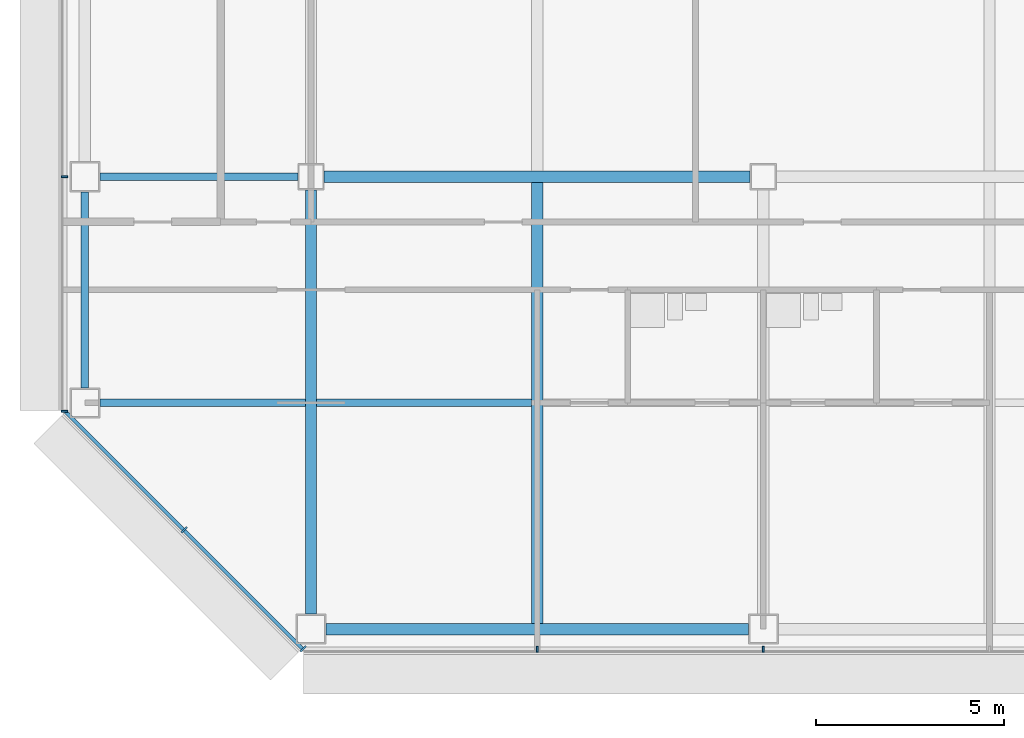
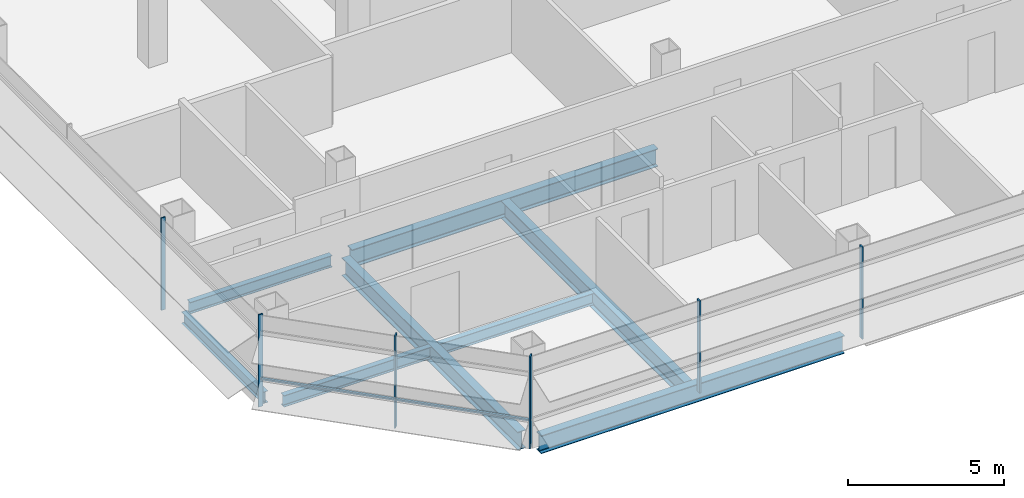
# One storey, part 2 of 26: 8 beams, 7 members, 3 elements without a shape of their own.
"""IFC4 building model written with IfcOpenShell, lengths in metres."""

from ifc_helpers import new_model, si_unit, direction, frame, origin, origin_2d, place, context, subcontext, project, spatial, rectangle, i_section, extrude, material, material_profile, profile_set, type_object, element, aggregate, save


model = new_model("IFC4")

# Units and contexts
model_context = context("Model", 3, precision=1e-05, world=origin(), true_north=direction((0.0, 1.0)))
body_context = subcontext(model_context, "Body", "Model", "MODEL_VIEW")
ifc_project = project(units=[si_unit("LENGTHUNIT", "METRE"), si_unit("AREAUNIT", "SQUARE_METRE"), si_unit("VOLUMEUNIT", "CUBIC_METRE"), si_unit("PLANEANGLEUNIT", "RADIAN"), si_unit("MASSUNIT", "GRAM", prefix="KILO")], contexts=[model_context])

# Site, building, storey
site_placement = place(None, origin())
site = spatial("IfcSite", under=ifc_project, at=site_placement, CompositionType="ELEMENT")
building_placement = place(site_placement, origin())
building = spatial("IfcBuilding", under=site, at=building_placement, Name="Sorahane Residences", CompositionType="ELEMENT")
storey_placement = place(building_placement, frame((0.0, 0.0, 103.39990234375)))
storey = spatial("IfcBuildingStorey", under=building, at=storey_placement, Name="L22", CompositionType="ELEMENT", Elevation=103.39990234375)

# Curtain wall, members
ifc_material_1 = material(Name="Dark low-e glass and black anodised aluminium", Category="aluminium")
curtain_wall_type_1 = type_object("IfcCurtainWallType", Name="Curtain wall CW-1 Typical unitised wall", PredefinedType="NOTDEFINED", material=ifc_material_1)
curtain_wall_1_placement = place(storey_placement, origin())
curtain_wall_1 = element("IfcCurtainWall", 1, at=curtain_wall_1_placement, inside=storey, type_object=curtain_wall_type_1, Name="CW-1 curtain wall L22 S1", PredefinedType="NOTDEFINED")
ifc_material_2 = material(Name="Black anodised aluminium", Category="aluminium")
ifc_material_profile_1 = material_profile(ifc_material_2, rectangle(XDim=0.159912109375, YDim=0.050048828125, at=origin_2d()), Name="Curtain wall mullion CW-1 black anodised aluminium 50x160")
ifc_profile_set_1 = profile_set([ifc_material_profile_1], Name="Black anodised aluminium")
member_type_1 = type_object("IfcMemberType", Name="Curtain wall mullion CW-1 black anodised aluminium 50x160", PredefinedType="MULLION", material=ifc_profile_set_1)
member_1_placement = place(storey_placement, frame((6.0, -0.5400390625, -0.179931640625), z_axis=(0.0, 0.0, 1.0), x_axis=(0.0, -1.0, 0.0)))
member_1 = element("IfcMember", 2, at=member_1_placement, type_object=member_type_1, Name="CW-1 mullion L22 S1.2", PredefinedType="MULLION", context=body_context, shape_type="SweptSolid", body=[
    extrude(rectangle(XDim=0.159912109375, YDim=0.050048828125, at=origin_2d()), origin(), (0.0, 0.0, 1.0), 3.60009765625),
])
member_2_placement = place(storey_placement, frame((12.0, -0.5400390625, -0.179931640625), z_axis=(0.0, 0.0, 1.0), x_axis=(0.0, -1.0, 0.0)))
member_2 = element("IfcMember", 3, at=member_2_placement, type_object=member_type_1, Name="CW-1 mullion L22 S1.3", PredefinedType="MULLION", context=body_context, shape_type="SweptSolid", body=[
    extrude(rectangle(XDim=0.159912109375, YDim=0.050048828125, at=origin_2d()), origin(), (0.0, 0.0, 1.0), 3.60009765625),
])
aggregate(curtain_wall_1, [member_1, member_2])

curtain_wall_2_placement = place(storey_placement, origin())
curtain_wall_2 = element("IfcCurtainWall", 4, at=curtain_wall_2_placement, inside=storey, type_object=curtain_wall_type_1, Name="CW-1 curtain wall L22 W2", PredefinedType="NOTDEFINED")
member_3_placement = place(storey_placement, frame((-6.5400390625, 12.0, -0.179931640625), z_axis=(0.0, 0.0, 1.0), x_axis=(-1.0, 0.0, 0.0)))
member_3 = element("IfcMember", 5, at=member_3_placement, type_object=member_type_1, Name="CW-1 mullion L22 W2.6", PredefinedType="MULLION", context=body_context, shape_type="SweptSolid", body=[
    extrude(rectangle(XDim=0.159912109375, YDim=0.050048828125, at=origin_2d()), origin(), (0.0, 0.0, 1.0), 3.60009765625),
])
member_4_placement = place(storey_placement, frame((-6.5400390625, 5.7763671875, -0.179931640625), z_axis=(0.0, 0.0, 1.0), x_axis=(-1.0, 0.0, 0.0)))
member_4 = element("IfcMember", 6, at=member_4_placement, type_object=member_type_1, Name="CW-1 mullion L22 W2.7", PredefinedType="MULLION", context=body_context, shape_type="SweptSolid", body=[
    extrude(rectangle(XDim=0.159912109375, YDim=0.050048828125, at=origin_2d()), origin(), (0.0, 0.0, 1.0), 3.60009765625),
])
aggregate(curtain_wall_2, [member_3, member_4])

ifc_material_3 = material(Name="Dark low-e glass and black anodised aluminium", Category="aluminium")
curtain_wall_type_2 = type_object("IfcCurtainWallType", Name="Curtain wall CW-2 Chamfer unitised wall", PredefinedType="NOTDEFINED", material=ifc_material_3)
curtain_wall_3_placement = place(storey_placement, origin())
curtain_wall_3 = element("IfcCurtainWall", 7, at=curtain_wall_3_placement, inside=storey, type_object=curtain_wall_type_2, Name="CW-2 curtain wall L22 SW1", PredefinedType="NOTDEFINED")
ifc_material_4 = material(Name="Black anodised aluminium", Category="aluminium")
ifc_material_profile_2 = material_profile(ifc_material_4, rectangle(XDim=0.199951171875, YDim=0.050048828125, at=origin_2d()), Name="Curtain wall mullion CW-2 black anodised aluminium 50x200")
ifc_profile_set_2 = profile_set([ifc_material_profile_2], Name="Black anodised aluminium")
member_type_2 = type_object("IfcMemberType", Name="Curtain wall mullion CW-2 black anodised aluminium 50x200", PredefinedType="MULLION", material=ifc_profile_set_2)
member_5_placement = place(storey_placement, frame((-3.36767578125, 2.63232421875, -0.179931640625), z_axis=(0.0, 0.0, 1.0), x_axis=(-0.707106781187, -0.707106781187, 0.0)))
member_5 = element("IfcMember", 8, at=member_5_placement, type_object=member_type_2, Name="CW-2 mullion L22 SW1.2", PredefinedType="MULLION", context=body_context, shape_type="SweptSolid", body=[
    extrude(rectangle(XDim=0.199951171875, YDim=0.050048828125, at=origin_2d()), origin(), (0.0, 0.0, 1.0), 3.60009765625),
])
member_6_placement = place(storey_placement, frame((-0.209716796875, -0.525634765625, -0.179931640625), z_axis=(0.0, 0.0, 1.0), x_axis=(-0.707106781187, -0.707106781187, 0.0)))
member_6 = element("IfcMember", 9, at=member_6_placement, type_object=member_type_2, Name="CW-2 mullion L22 SW1.3", PredefinedType="MULLION", context=body_context, shape_type="SweptSolid", body=[
    extrude(rectangle(XDim=0.199951171875, YDim=0.050048828125, at=origin_2d()), origin(), (0.0, 0.0, 1.0), 3.60009765625),
])
ifc_material_5 = material(Name="Black anodised aluminium", Category="aluminium")
ifc_material_profile_3 = material_profile(ifc_material_5, rectangle(XDim=0.10009765625, YDim=0.06005859375, at=origin_2d()), Name="Curtain wall transom CW-2 black anodised aluminium 60x100")
ifc_profile_set_3 = profile_set([ifc_material_profile_3], Name="Black anodised aluminium")
member_type_3 = type_object("IfcMemberType", Name="Curtain wall transom CW-2 black anodised aluminium 60x100", PredefinedType="USERDEFINED", material=ifc_profile_set_3)
member_7_placement = place(storey_placement, frame((-6.51513671875, 5.765625, 0.900146484375), z_axis=(0.707106781187, -0.707106781187, 0.0), x_axis=(0.707106781187, 0.707106781187, 0.0)))
member_7 = element("IfcMember", 10, at=member_7_placement, type_object=member_type_3, Name="CW-2 transom L22 SW1", ObjectType="TRANSOM", PredefinedType="USERDEFINED", context=body_context, shape_type="SweptSolid", body=[
    extrude(rectangle(XDim=0.10009765625, YDim=0.06005859375, at=origin_2d()), origin(), (0.0, 0.0, 1.0), 8.88232421875),
])
aggregate(curtain_wall_3, [member_5, member_6, member_7])

# Beams
ifc_material_6 = material(Name="Steel Q355B", Category="steel")
ifc_material_profile_4 = material_profile(ifc_material_6, i_section(OverallWidth=0.199951171875, OverallDepth=0.449951171875, WebThickness=0.009033203125, FlangeThickness=0.013916015625, FilletRadius=0.02001953125, at=origin_2d()), Name="HN 450x200x9x14")
ifc_profile_set_4 = profile_set([ifc_material_profile_4], Name="Steel Q355B")
beam_type_1 = type_object("IfcBeamType", Name="Steel floor beam HN 450x200x9x14 Q355B", PredefinedType="BEAM", material=ifc_profile_set_4)
beam_1_placement = place(storey_placement, frame((-5.60009765625, 12.0, -0.40478515625), z_axis=(1.0, 0.0, 0.0), x_axis=(0.0, 1.0, 0.0)))
element("IfcBeam", 11, at=beam_1_placement, inside=storey, type_object=beam_type_1, Name="Beam L22 004", PredefinedType="BEAM", context=body_context, shape_type="SweptSolid", body=[
    extrude(i_section(OverallWidth=0.199951171875, OverallDepth=0.449951171875, WebThickness=0.009033203125, FlangeThickness=0.013916015625, FilletRadius=0.02001953125, at=origin_2d()), origin(), (0.0, 0.0, 1.0), 5.25),
])
beam_2_placement = place(storey_placement, frame((-6.0, 6.39990234375, -0.40478515625), z_axis=(0.0, 1.0, 0.0), x_axis=(-1.0, 0.0, 0.0)))
element("IfcBeam", 12, at=beam_2_placement, inside=storey, type_object=beam_type_1, Name="Beam L22 019", PredefinedType="BEAM", context=body_context, shape_type="SweptSolid", body=[
    extrude(i_section(OverallWidth=0.199951171875, OverallDepth=0.449951171875, WebThickness=0.009033203125, FlangeThickness=0.013916015625, FilletRadius=0.02001953125, at=origin_2d()), origin(), (0.0, 0.0, 1.0), 5.2001953125),
])
beam_3_placement = place(storey_placement, frame((-5.60009765625, 6.0, -0.40478515625), z_axis=(1.0, 0.0, 0.0), x_axis=(0.0, 1.0, 0.0)))
element("IfcBeam", 13, at=beam_3_placement, inside=storey, type_object=beam_type_1, Name="Beam L22 065", PredefinedType="BEAM", context=body_context, shape_type="SweptSolid", body=[
    extrude(i_section(OverallWidth=0.199951171875, OverallDepth=0.449951171875, WebThickness=0.009033203125, FlangeThickness=0.013916015625, FilletRadius=0.02001953125, at=origin_2d()), origin(), (0.0, 0.0, 1.0), 5.4501953125),
])
beam_4_placement = place(storey_placement, frame((0.14990234375, 6.0, -0.40478515625), z_axis=(1.0, 0.0, 0.0), x_axis=(0.0, 1.0, 0.0)))
element("IfcBeam", 14, at=beam_4_placement, inside=storey, type_object=beam_type_1, Name="Beam L22 066", PredefinedType="BEAM", context=body_context, shape_type="SweptSolid", body=[
    extrude(i_section(OverallWidth=0.199951171875, OverallDepth=0.449951171875, WebThickness=0.009033203125, FlangeThickness=0.013916015625, FilletRadius=0.02001953125, at=origin_2d()), origin(), (0.0, 0.0, 1.0), 5.7001953125),
])
ifc_material_7 = material(Name="Steel Q355B", Category="steel")
ifc_material_profile_5 = material_profile(ifc_material_7, i_section(OverallWidth=0.300048828125, OverallDepth=0.699951171875, WebThickness=0.012939453125, FlangeThickness=0.02392578125, FilletRadius=0.028076171875, at=origin_2d()), Name="HN 700x300x13x24")
ifc_profile_set_5 = profile_set([ifc_material_profile_5], Name="Steel Q355B")
beam_type_2 = type_object("IfcBeamType", Name="Steel floor beam HN 700x300x13x24 Q355B", PredefinedType="BEAM", material=ifc_profile_set_5)
beam_5_placement = place(storey_placement, frame((0.39990234375, 0.0, -0.52978515625), z_axis=(1.0, 0.0, 0.0), x_axis=(0.0, 1.0, 0.0)))
element("IfcBeam", 15, at=beam_5_placement, inside=storey, type_object=beam_type_2, Name="Beam L22 000", PredefinedType="BEAM", context=body_context, shape_type="SweptSolid", body=[
    extrude(i_section(OverallWidth=0.300048828125, OverallDepth=0.699951171875, WebThickness=0.012939453125, FlangeThickness=0.02392578125, FilletRadius=0.028076171875, at=origin_2d()), origin(), (0.0, 0.0, 1.0), 11.2001953125),
])
beam_6_placement = place(storey_placement, frame((0.35009765625, 12.0, -0.52978515625), z_axis=(1.0, 0.0, 0.0), x_axis=(0.0, 1.0, 0.0)))
element("IfcBeam", 16, at=beam_6_placement, inside=storey, type_object=beam_type_2, Name="Beam L22 005", PredefinedType="BEAM", context=body_context, shape_type="SweptSolid", body=[
    extrude(i_section(OverallWidth=0.300048828125, OverallDepth=0.699951171875, WebThickness=0.012939453125, FlangeThickness=0.02392578125, FilletRadius=0.028076171875, at=origin_2d()), origin(), (0.0, 0.0, 1.0), 11.2998046875),
])
beam_7_placement = place(storey_placement, frame((0.0, 0.39990234375, -0.52978515625), z_axis=(0.0, 1.0, 0.0), x_axis=(-1.0, 0.0, 0.0)))
element("IfcBeam", 17, at=beam_7_placement, inside=storey, type_object=beam_type_2, Name="Beam L22 023", PredefinedType="BEAM", context=body_context, shape_type="SweptSolid", body=[
    extrude(i_section(OverallWidth=0.300048828125, OverallDepth=0.699951171875, WebThickness=0.012939453125, FlangeThickness=0.02392578125, FilletRadius=0.028076171875, at=origin_2d()), origin(), (0.0, 0.0, 1.0), 11.25),
])
beam_8_placement = place(storey_placement, frame((6.0, 0.14990234375, -0.52978515625), z_axis=(0.0, 1.0, 0.0), x_axis=(-1.0, 0.0, 0.0)))
element("IfcBeam", 18, at=beam_8_placement, inside=storey, type_object=beam_type_2, Name="Beam L22 027", PredefinedType="BEAM", context=body_context, shape_type="SweptSolid", body=[
    extrude(i_section(OverallWidth=0.300048828125, OverallDepth=0.699951171875, WebThickness=0.012939453125, FlangeThickness=0.02392578125, FilletRadius=0.028076171875, at=origin_2d()), origin(), (0.0, 0.0, 1.0), 11.7001953125),
])

save(model, "model.ifc")
